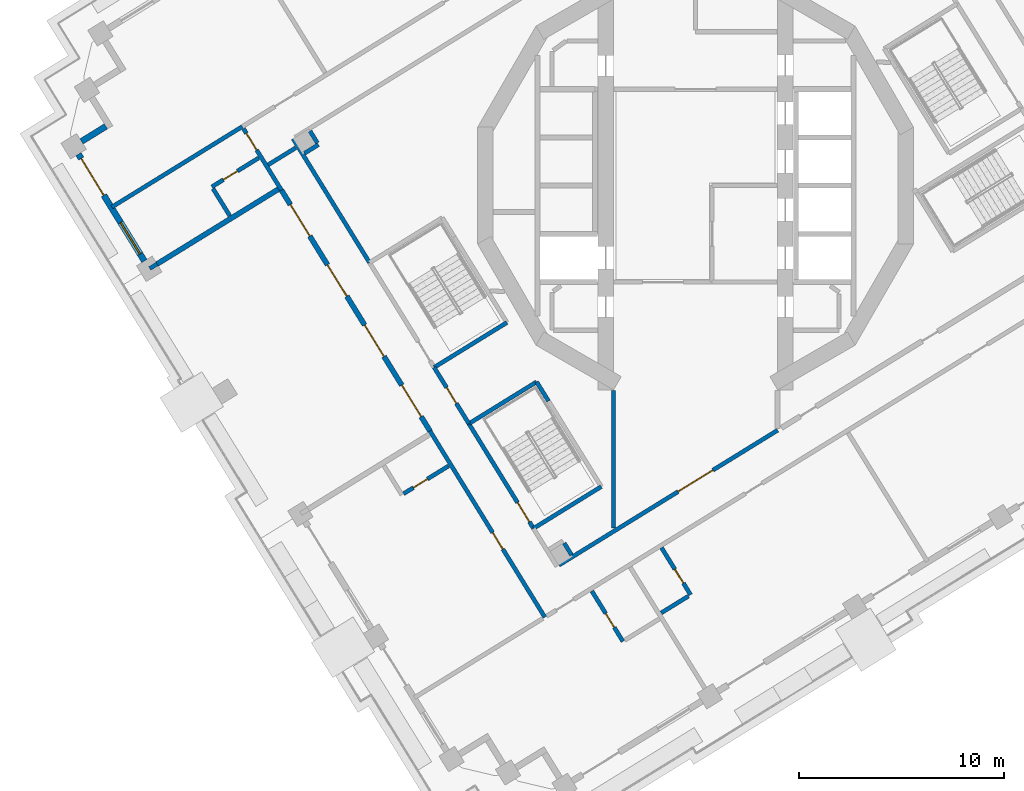
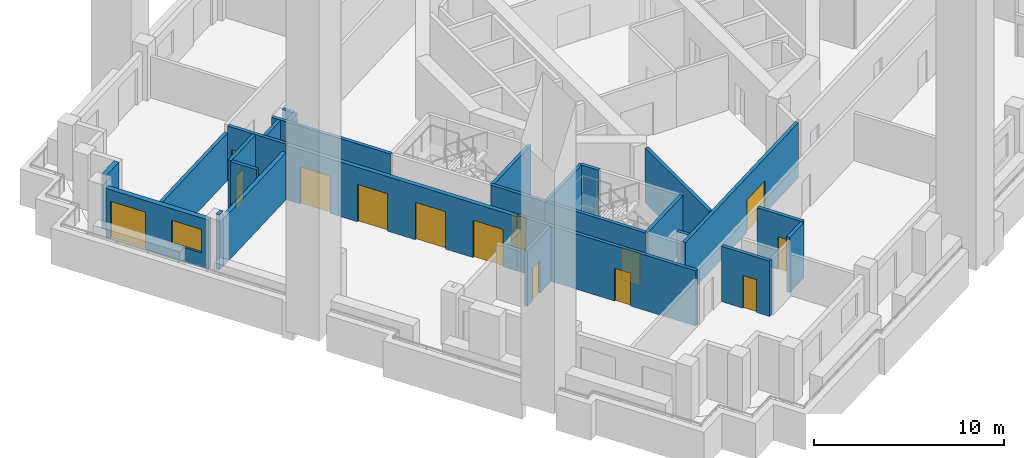
# One storey, part 3 of 19: 27 walls, 14 doors, 1 window, 15 openings.
"""IFC4 building model written with IfcOpenShell, lengths in metres."""

import ifcopenshell
import ifcopenshell.guid

model = None  # the IFC model being written
_history = None  # IfcOwnerHistory: only IFC2X3 demands one
_inside = {}  # id of a spatial element -> (the spatial element, [elements in it])
_under = {}  # id of a project, library or spatial element -> (it, [spatial elements below it])
_declared = {}  # id of a project -> (the project, [libraries it declares])
_typed = {}  # id of a type object -> (the type object, [elements of that type])
_made_of = {}  # id of a material, layer set ... -> (it, [elements and type objects made of it])


def new_model(schema):
    """Start an empty IFC model of exactly this schema.

    Asked for "IFC4X3", IfcOpenShell would pick the latest addendum, in which some entities
    have other attributes; the version numbers below select the first issue.
    IFC2X3 requires an IfcOwnerHistory on every rooted entity: one is made here for all.
    """
    global model, _history
    if schema == "IFC4X3":
        model = ifcopenshell.file(schema_version=(4, 3, 0, 0))
    else:
        model = ifcopenshell.file(schema=schema)
    _inside.clear()
    _under.clear()
    _declared.clear()
    _typed.clear()
    _made_of.clear()
    _history = None
    if model.schema == "IFC2X3":
        org = make("IfcOrganization", Name="unknown")
        user = make(
            "IfcPersonAndOrganization",
            ThePerson=make("IfcPerson", FamilyName="unknown"),
            TheOrganization=org,
        )
        app = make(
            "IfcApplication",
            ApplicationDeveloper=org,
            Version="unknown",
            ApplicationFullName="unknown",
            ApplicationIdentifier="unknown",
        )
        _history = make(
            "IfcOwnerHistory",
            OwningUser=user,
            OwningApplication=app,
            ChangeAction="ADDED",
            CreationDate=0,
        )
    return model


def make(cls, **values):
    """One entity of the class cls with the attributes given. An attribute that is None is left unset."""
    return model.create_entity(
        cls, **{name: value for name, value in values.items() if value is not None}
    )


def rooted(cls, **values):
    """An entity with a GlobalId (a new one), such as an element, a storey or a relation."""
    return make(cls, GlobalId=ifcopenshell.guid.new(), OwnerHistory=_history, **values)


def si_unit(unit_type, name, prefix=None):
    """IfcSIUnit, for example si_unit("LENGTHUNIT", "METRE", prefix="MILLI")."""
    return make("IfcSIUnit", UnitType=unit_type, Prefix=prefix, Name=name)


def assignment(units):
    """IfcUnitAssignment: the units of a project."""
    return None if units is None else make("IfcUnitAssignment", Units=units)


def point(xyz):
    """IfcCartesianPoint."""
    return None if xyz is None else make("IfcCartesianPoint", Coordinates=xyz)


def direction(xyz):
    """IfcDirection."""
    return None if xyz is None else make("IfcDirection", DirectionRatios=xyz)


def frame(location, z_axis=None, x_axis=None):
    """IfcAxis2Placement3D, a coordinate frame: its origin and axes. An axis left out is left unset."""
    return make(
        "IfcAxis2Placement3D",
        Location=point(location),
        Axis=direction(z_axis),
        RefDirection=direction(x_axis),
    )


def frame_2d(location, x_axis=None):
    """IfcAxis2Placement2D, a coordinate frame in the plane: its origin and x axis."""
    return make(
        "IfcAxis2Placement2D", Location=point(location), RefDirection=direction(x_axis)
    )


def origin():
    """The frame at (0, 0, 0) with its axes left unset."""
    return frame((0.0, 0.0, 0.0))


def place(relative_to, where):
    """IfcLocalPlacement: puts the frame where relative to a parent placement (None: the world)."""
    return make(
        "IfcLocalPlacement", PlacementRelTo=relative_to, RelativePlacement=where
    )


def context(
    kind, dimensions, precision=None, world=None, true_north=None, identifier=None
):
    """IfcGeometricRepresentationContext, for example the 3D "Model" context."""
    return make(
        "IfcGeometricRepresentationContext",
        ContextIdentifier=identifier,
        ContextType=kind,
        CoordinateSpaceDimension=dimensions,
        Precision=precision,
        WorldCoordinateSystem=world,
        TrueNorth=true_north,
    )


def subcontext(parent, identifier, kind, view, scale=None):
    """IfcGeometricRepresentationSubContext, for example "Body" below "Model"."""
    return make(
        "IfcGeometricRepresentationSubContext",
        ContextIdentifier=identifier,
        ContextType=kind,
        ParentContext=parent,
        TargetScale=scale,
        TargetView=view,
    )


def project(units=None, contexts=None):
    """IfcProject with its units and contexts."""
    return rooted(
        "IfcProject",
        Name="project",
        RepresentationContexts=contexts,
        UnitsInContext=assignment(units),
    )


def spatial(cls, under=None, at=None, **own):
    """A site, building, storey or space (cls), placed at a placement, below another one or the project."""
    s = rooted(cls, ObjectPlacement=at, **own)
    if under is not None:
        _under.setdefault(under.id(), (under, []))[1].append(s)
    return s


def profile(cls, at=None, kind="AREA", **sizes):
    """A parametric profile (cls). Its sizes go by their IFC names, for example OverallWidth=200.0."""
    return make(cls, ProfileType=kind, Position=at, **sizes)


def rectangle(**sizes):
    """IfcRectangleProfileDef."""
    return profile("IfcRectangleProfileDef", **sizes)


def extrude(swept, where, along, depth):
    """IfcExtrudedAreaSolid: the profile swept, set in the frame where, extruded along a direction by depth."""
    return make(
        "IfcExtrudedAreaSolid",
        SweptArea=swept,
        Position=where,
        ExtrudedDirection=direction(along),
        Depth=depth,
    )


def shape(context_of_items, identifier, shape_type, items):
    """IfcShapeRepresentation: the items that make up one representation, for example the "Body"."""
    return make(
        "IfcShapeRepresentation",
        ContextOfItems=context_of_items,
        RepresentationIdentifier=identifier,
        RepresentationType=shape_type,
        Items=items,
    )


def material(Name=None, Category=None):
    """IfcMaterial."""
    return make("IfcMaterial", Name=Name, Category=Category)


def layer(
    of_material, thickness, ventilated=None, Name=None, Category=None, Priority=None
):
    """IfcMaterialLayer: one layer of a wall or slab, of a material (None: an air gap)."""
    return make(
        "IfcMaterialLayer",
        Material=of_material,
        LayerThickness=thickness,
        IsVentilated=ventilated,
        Name=Name,
        Category=Category,
        Priority=Priority,
    )


def layer_set(layers, Name=None):
    """IfcMaterialLayerSet."""
    return make("IfcMaterialLayerSet", MaterialLayers=layers, LayerSetName=Name)


def made_of(thing, what):
    """Note that an element or type object is made of a material, layer set ...; save() writes the relation."""
    if what is not None:
        _made_of.setdefault(what.id(), (what, []))[1].append(thing)
    return thing


def type_object(cls, material=None, **own):
    """A type object (cls), such as IfcWallType, which elements share."""
    return made_of(rooted(cls, **own), material)


def element(
    cls,
    number,
    at=None,
    inside=None,
    cuts=None,
    type_object=None,
    material=None,
    context=None,
    identifier="Body",
    shape_type=None,
    held_by="IfcProductDefinitionShape",
    body=None,
    shapes=None,
    **own,
):
    """One element of the class cls, such as IfcWall. Its Tag is "e" and its number.

    at: its placement. inside: the storey or other place that contains it. cuts: it is an
    opening in that element (IfcRelVoidsElement). A single representation is given by context,
    identifier, shape_type and body (its items); several are given by shapes. held_by: the class
    of the entity that holds the representations. save() writes the other relations.
    """
    e = rooted(cls, Tag="e%d" % number, ObjectPlacement=at, **own)
    if body is not None:
        shapes = [shape(context, identifier, shape_type, body)]
    if shapes is not None:
        e.Representation = make(held_by, Representations=shapes)
    if inside is not None:
        _inside.setdefault(inside.id(), (inside, []))[1].append(e)
    if cuts is not None:
        rooted(
            "IfcRelVoidsElement", RelatingBuildingElement=cuts, RelatedOpeningElement=e
        )
    if type_object is not None:
        _typed.setdefault(type_object.id(), (type_object, []))[1].append(e)
    return made_of(e, material)


def fill(opening, filler):
    """IfcRelFillsElement: the door or window that sits in an opening."""
    return rooted(
        "IfcRelFillsElement",
        RelatingOpeningElement=opening,
        RelatedBuildingElement=filler,
    )


def aggregate(whole, parts):
    """IfcRelAggregates: a whole, such as a stair, and the parts it consists of."""
    return rooted("IfcRelAggregates", RelatingObject=whole, RelatedObjects=parts)


def save(model, path):
    """Write the relations noted so far, then the file.

    IfcRelAggregates (storeys below a building ...), IfcRelContainedInSpatialStructure (elements
    in a storey), IfcRelDefinesByType, IfcRelAssociatesMaterial and IfcRelDeclares: one each for
    every whole, place, type object, material and project.
    """
    for whole, parts in _under.values():
        aggregate(whole, parts)
    for where, things in _inside.values():
        rooted(
            "IfcRelContainedInSpatialStructure",
            RelatedElements=things,
            RelatingStructure=where,
        )
    for kind, things in _typed.values():
        rooted("IfcRelDefinesByType", RelatedObjects=things, RelatingType=kind)
    for what, things in _made_of.values():
        rooted("IfcRelAssociatesMaterial", RelatedObjects=things, RelatingMaterial=what)
    for by, libraries in _declared.values():
        rooted("IfcRelDeclares", RelatingContext=by, RelatedDefinitions=libraries)
    model.write(path)


model = new_model("IFC4")

# Units and contexts
model_context = context("Model", 3, precision=1e-05, world=origin(), true_north=direction((0.0, 1.0)))
body_context = subcontext(model_context, "Body", "Model", "MODEL_VIEW")
ifc_project = project(units=[si_unit("LENGTHUNIT", "METRE"), si_unit("AREAUNIT", "SQUARE_METRE"), si_unit("VOLUMEUNIT", "CUBIC_METRE"), si_unit("PLANEANGLEUNIT", "RADIAN"), si_unit("MASSUNIT", "GRAM", prefix="KILO")], contexts=[model_context])

# Site, building, storey
site_placement = place(None, origin())
site = spatial("IfcSite", under=ifc_project, at=site_placement, CompositionType="ELEMENT")
building_placement = place(site_placement, origin())
building = spatial("IfcBuilding", under=site, at=building_placement, Name="Cantera Rosa Tower", CompositionType="ELEMENT")
storey_placement = place(building_placement, frame((0.0, 0.0, 147.60009765625)))
storey = spatial("IfcBuildingStorey", under=building, at=storey_placement, Name="L31", CompositionType="ELEMENT", Elevation=147.60009765625)

# Wall, opening, door
ifc_material_1 = material(Name="Gypsum board partition")
ifc_layer_1 = layer(ifc_material_1, 0.199951171875)
ifc_layer_set_1 = layer_set([ifc_layer_1], Name="CORRIDOR WALL 200 H3550")
wall_type_1 = type_object("IfcWallType", Name="CORRIDOR WALL 200 H3550", PredefinedType="PARTITIONING", material=ifc_layer_set_1)
wall_1_placement = place(storey_placement, frame((-22.037109375, 2.77392578125, 0.0), z_axis=(0.0, 0.0, 1.0), x_axis=(0.524928009261, -0.851146629608, 0.0)))
wall_1 = element("IfcWall", 1, at=wall_1_placement, inside=storey, type_object=wall_type_1, Name="CORRIDOR WALL L31-004", PredefinedType="PARTITIONING", context=body_context, shape_type="SweptSolid", body=[
    extrude(rectangle(XDim=3.52490234375, YDim=0.199951171875, at=frame_2d((1.762451171875, 0.0))), origin(), (0.0, 0.0, 1.0), 3.5498046875),
])
opening_1_placement = place(wall_1_placement, frame((0.264892578125, 0.0, 0.0)))
opening_1 = element("IfcOpeningElement", 2, at=opening_1_placement, cuts=wall_1, Name="Opening L31-030", PredefinedType="OPENING", context=body_context, shape_type="SweptSolid", body=[
    extrude(rectangle(XDim=0.949951171875, YDim=2.10009765625, at=frame_2d((0.47509765625, 1.050048828125))), frame((0.0, 0.10986328125, 0.0), z_axis=(0.0, -1.0, 0.0), x_axis=(1.0, 0.0, 0.0)), (0.0, 0.0, 1.0), 0.219970703125),
])
ifc_material_2 = material(Name="Timber door leaf", Category="wood")
door_type_1 = type_object("IfcDoorType", Name="ROOM DOOR 950x2100", OperationType="NOTDEFINED", PredefinedType="DOOR", material=ifc_material_2)
door_1_placement = place(opening_1_placement, origin())
door_1 = element("IfcDoor", 3, at=door_1_placement, inside=storey, type_object=door_type_1, Name="DOOR L31-030", OperationType="NOTDEFINED", OverallHeight=2.10009765625, OverallWidth=0.949951171875, PredefinedType="DOOR", context=body_context, shape_type="SweptSolid", body=[
    extrude(rectangle(XDim=0.949951171875, YDim=2.10009765625, at=frame_2d((0.47509765625, 1.050048828125))), frame((0.0, 0.02490234375, 0.0), z_axis=(0.0, -1.0, 0.0), x_axis=(1.0, 0.0, 0.0)), (0.0, 0.0, 1.0), 0.050048828125),
])
fill(opening_1, door_1)

wall_2_placement = place(storey_placement, frame((-12.947265625, -11.963134765625, 0.0), z_axis=(0.0, 0.0, 1.0), x_axis=(0.524977152999, -0.851116319212, 0.0)))
wall_2 = element("IfcWall", 4, at=wall_2_placement, inside=storey, type_object=wall_type_1, Name="CORRIDOR WALL L31-005", PredefinedType="PARTITIONING", context=body_context, shape_type="SweptSolid", body=[
    extrude(rectangle(XDim=10.6650390625, YDim=0.199951171875, at=frame_2d((5.33251953125, 0.0))), origin(), (0.0, 0.0, 1.0), 3.5498046875),
])
opening_2_placement = place(wall_2_placement, frame((5.820068359375, 0.0, 0.0)))
opening_2 = element("IfcOpeningElement", 5, at=opening_2_placement, cuts=wall_2, Name="Opening L31-032", PredefinedType="OPENING", context=body_context, shape_type="SweptSolid", body=[
    extrude(rectangle(XDim=0.949951171875, YDim=2.10009765625, at=frame_2d((0.47509765625, 1.050048828125))), frame((0.0, 0.10986328125, 0.0), z_axis=(0.0, -1.0, 0.0), x_axis=(1.0, 0.0, 0.0)), (0.0, 0.0, 1.0), 0.219970703125),
])
door_2_placement = place(opening_2_placement, origin())
door_2 = element("IfcDoor", 6, at=door_2_placement, inside=storey, type_object=door_type_1, Name="DOOR L31-032", OperationType="NOTDEFINED", OverallHeight=2.10009765625, OverallWidth=0.949951171875, PredefinedType="DOOR", context=body_context, shape_type="SweptSolid", body=[
    extrude(rectangle(XDim=0.949951171875, YDim=2.10009765625, at=frame_2d((0.47509765625, 1.050048828125))), frame((0.0, 0.02490234375, 0.0), z_axis=(0.0, -1.0, 0.0), x_axis=(1.0, 0.0, 0.0)), (0.0, 0.0, 1.0), 0.050048828125),
])
fill(opening_2, door_2)

# Walls
wall_3_placement = place(storey_placement, frame((-20.8349609375, 1.015380859375, 0.0), z_axis=(0.0, 0.0, 1.0), x_axis=(0.851143253059, 0.52493348414, 0.0)))
element("IfcWall", 7, at=wall_3_placement, inside=storey, type_object=wall_type_1, Name="CORRIDOR WALL L31-006", PredefinedType="PARTITIONING", context=body_context, shape_type="SweptSolid", body=[
    extrude(rectangle(XDim=1.579833984375, YDim=0.199951171875, at=frame_2d((0.7900390625, 0.0))), origin(), (0.0, 0.0, 1.0), 3.5498046875),
])
wall_4_placement = place(storey_placement, frame((-19.623291015625, 2.2890625, 0.0), z_axis=(0.0, 0.0, 1.0), x_axis=(0.524973806956, -0.851118383076, 0.0)))
element("IfcWall", 8, at=wall_4_placement, inside=storey, type_object=wall_type_1, Name="CORRIDOR WALL L31-008", PredefinedType="PARTITIONING", context=body_context, shape_type="SweptSolid", body=[
    extrude(rectangle(XDim=7.100830078125, YDim=0.199951171875, at=frame_2d((3.55029296875, 0.0))), origin(), (0.0, 0.0, 1.0), 3.5498046875),
])

# Wall, opening, door
wall_5_placement = place(storey_placement, frame((-12.74560546875, -8.861328125, 0.0), z_axis=(0.0, 0.0, 1.0), x_axis=(0.524959112102, -0.851127446756, 0.0)))
wall_5 = element("IfcWall", 9, at=wall_5_placement, inside=storey, type_object=wall_type_1, Name="CORRIDOR WALL L31-016", PredefinedType="PARTITIONING", context=body_context, shape_type="SweptSolid", body=[
    extrude(rectangle(XDim=3.223876953125, YDim=0.199951171875, at=frame_2d((1.61181640625, 0.0))), origin(), (0.0, 0.0, 1.0), 3.5498046875),
])
opening_3_placement = place(wall_5_placement, frame((1.161865234375, 0.0, 0.0)))
opening_3 = element("IfcOpeningElement", 10, at=opening_3_placement, cuts=wall_5, Name="Opening L31-007", PredefinedType="OPENING", context=body_context, shape_type="SweptSolid", body=[
    extrude(rectangle(XDim=0.89990234375, YDim=2.10009765625, at=frame_2d((0.449951171875, 1.050048828125))), frame((0.0, 0.10986328125, 0.0), z_axis=(0.0, -1.0, 0.0), x_axis=(1.0, 0.0, 0.0)), (0.0, 0.0, 1.0), 0.219970703125),
])
ifc_material_3 = material(Name="Timber door leaf", Category="wood")
door_type_2 = type_object("IfcDoorType", Name="SERVICE DOOR 900x2100", OperationType="NOTDEFINED", PredefinedType="DOOR", material=ifc_material_3)
door_3_placement = place(opening_3_placement, origin())
door_3 = element("IfcDoor", 11, at=door_3_placement, inside=storey, type_object=door_type_2, Name="DOOR L31-007", OperationType="NOTDEFINED", OverallHeight=2.10009765625, OverallWidth=0.89990234375, PredefinedType="DOOR", context=body_context, shape_type="SweptSolid", body=[
    extrude(rectangle(XDim=0.89990234375, YDim=2.10009765625, at=frame_2d((0.449951171875, 1.050048828125))), frame((0.0, 0.02490234375, 0.0), z_axis=(0.0, -1.0, 0.0), x_axis=(1.0, 0.0, 0.0)), (0.0, 0.0, 1.0), 0.050048828125),
])
fill(opening_3, door_3)

wall_6_placement = place(storey_placement, frame((-6.6591796875, -18.500244140625, 0.0), z_axis=(0.0, 0.0, 1.0), x_axis=(0.851115705413, 0.524978148116, 0.0)))
wall_6 = element("IfcWall", 12, at=wall_6_placement, inside=storey, type_object=wall_type_1, Name="CORRIDOR WALL L31-038", PredefinedType="PARTITIONING", context=body_context, shape_type="SweptSolid", body=[
    extrude(rectangle(XDim=12.523681640625, YDim=0.199951171875, at=frame_2d((6.26171875, 0.0))), origin(), (0.0, 0.0, 1.0), 3.5498046875),
])
opening_4_placement = place(wall_6_placement, frame((6.82421875, 0.0, 0.0)))
opening_4 = element("IfcOpeningElement", 13, at=opening_4_placement, cuts=wall_6, Name="Opening L31-011", PredefinedType="OPENING", context=body_context, shape_type="SweptSolid", body=[
    extrude(rectangle(XDim=2.0, YDim=2.10009765625, at=frame_2d((1.0, 1.050048828125))), frame((0.0, 0.10986328125, 0.0), z_axis=(0.0, -1.0, 0.0), x_axis=(1.0, 0.0, 0.0)), (0.0, 0.0, 1.0), 0.219970703125),
])
ifc_material_4 = material(Name="Steel S355J2 (EN 10025-2)", Category="steel")
door_type_3 = type_object("IfcDoorType", Name="LOBBY SCREEN DOOR 2000x2100", OperationType="NOTDEFINED", PredefinedType="DOOR", material=ifc_material_4)
door_4_placement = place(opening_4_placement, origin())
door_4 = element("IfcDoor", 14, at=door_4_placement, inside=storey, type_object=door_type_3, Name="DOOR L31-011", OperationType="NOTDEFINED", OverallHeight=2.10009765625, OverallWidth=2.0, PredefinedType="DOOR", context=body_context, shape_type="SweptSolid", body=[
    extrude(rectangle(XDim=2.0, YDim=2.10009765625, at=frame_2d((1.0, 1.050048828125))), frame((0.0, 0.02490234375, 0.0), z_axis=(0.0, -1.0, 0.0), x_axis=(1.0, 0.0, 0.0)), (0.0, 0.0, 1.0), 0.050048828125),
])
fill(opening_4, door_4)

# Walls
wall_7_placement = place(storey_placement, frame((-4.0, -9.994140625, 0.0), z_axis=(0.0, 0.0, 1.0), x_axis=(0.0, -1.0, 0.0)))
element("IfcWall", 15, at=wall_7_placement, inside=storey, type_object=wall_type_1, Name="CORRIDOR WALL L31-049", PredefinedType="PARTITIONING", context=body_context, shape_type="SweptSolid", body=[
    extrude(rectangle(XDim=6.7060546875, YDim=0.199951171875, at=frame_2d((3.35302734375, 0.0))), origin(), (0.0, 0.0, 1.0), 3.5498046875),
])
ifc_material_5 = material(Name="Hollow clay masonry with cantera stone cladding", Category="masonry")
ifc_layer_2 = layer(ifc_material_5, 0.300048828125)
ifc_layer_set_2 = layer_set([ifc_layer_2], Name="EW-LOGGIA 300")
wall_type_2 = type_object("IfcWallType", Name="EW-LOGGIA 300", PredefinedType="SOLIDWALL", material=ifc_layer_set_2)
wall_8_placement = place(storey_placement, frame((-28.74658203125, 2.888916015625, 0.0), z_axis=(0.0, 0.0, 1.0), x_axis=(-0.851040987269, -0.525099264891, 0.0)))
element("IfcWall", 16, at=wall_8_placement, inside=storey, type_object=wall_type_2, Name="EN-L31-W14b", PredefinedType="SOLIDWALL", context=body_context, shape_type="SweptSolid", body=[
    extrude(rectangle(XDim=1.39990234375, YDim=0.300048828125, at=frame_2d((0.699951171875, 0.0))), origin(), (0.0, 0.0, 1.0), 3.5),
])

# Wall, openings, window, door
ifc_material_6 = material(Name="Hollow clay masonry with cantera stone cladding", Category="masonry")
ifc_layer_3 = layer(ifc_material_6, 0.300048828125)
ifc_layer_set_3 = layer_set([ifc_layer_3], Name="EW-LOGGIA 300 H3140")
wall_type_3 = type_object("IfcWallType", Name="EW-LOGGIA 300 H3140", PredefinedType="SOLIDWALL", material=ifc_layer_set_3)
wall_9_placement = place(storey_placement, frame((-30.084716796875, 1.53466796875, 0.0), z_axis=(0.0, 0.0, 1.0), x_axis=(0.524987447654, -0.851109969279, 0.0)))
wall_9 = element("IfcWall", 17, at=wall_9_placement, inside=storey, type_object=wall_type_3, Name="EN-L31-W15", PredefinedType="SOLIDWALL", context=body_context, shape_type="SweptSolid", body=[
    extrude(rectangle(XDim=6.119873046875, YDim=0.300048828125, at=frame_2d((3.06005859375, 0.0))), origin(), (0.0, 0.0, 1.0), 3.139892578125),
])
opening_5_placement = place(wall_9_placement, frame((0.2548828125, 0.0, 0.0)))
opening_5 = element("IfcOpeningElement", 18, at=opening_5_placement, cuts=wall_9, Name="Opening L31-TD21", PredefinedType="OPENING", context=body_context, shape_type="SweptSolid", body=[
    extrude(rectangle(XDim=2.10009765625, YDim=2.39990234375, at=frame_2d((1.050048828125, 1.199951171875))), frame((0.0, 0.159912109375, 0.0), z_axis=(0.0, -1.0, 0.0), x_axis=(1.0, 0.0, 0.0)), (0.0, 0.0, 1.0), 0.320068359375),
])
opening_6_placement = place(wall_9_placement, frame((3.9150390625, 0.0, 0.89990234375)))
opening_6 = element("IfcOpeningElement", 19, at=opening_6_placement, cuts=wall_9, Name="Opening L31-W22", PredefinedType="OPENING", context=body_context, shape_type="SweptSolid", body=[
    extrude(rectangle(XDim=1.800048828125, YDim=1.5, at=frame_2d((0.89990234375, 0.75))), frame((0.0, 0.159912109375, 0.0), z_axis=(0.0, -1.0, 0.0), x_axis=(1.0, 0.0, 0.0)), (0.0, 0.0, 1.0), 0.320068359375),
])
ifc_material_7 = material(Name="Aluminium frame with clear glass", Category="aluminium")
window_type = type_object("IfcWindowType", Name="Hotel room window 1800x1500", PartitioningType="DOUBLE_PANEL_VERTICAL", PredefinedType="WINDOW", material=ifc_material_7)
window_placement = place(opening_6_placement, origin())
window = element("IfcWindow", 20, at=window_placement, inside=storey, type_object=window_type, Name="WINDOW L31-W22", OverallHeight=1.5, OverallWidth=1.800048828125, PartitioningType="SINGLE_PANEL", PredefinedType="WINDOW", context=body_context, shape_type="SweptSolid", body=[
    extrude(rectangle(XDim=1.800048828125, YDim=1.5, at=frame_2d((0.89990234375, 0.75))), frame((0.0, 0.030029296875, 0.0), z_axis=(0.0, -1.0, 0.0), x_axis=(1.0, 0.0, 0.0)), (0.0, 0.0, 1.0), 0.06005859375),
])
fill(opening_6, window)
ifc_material_8 = material(Name="Aluminium frame with clear glass", Category="aluminium")
door_type_4 = type_object("IfcDoorType", Name="TD-H 2100x2400", OperationType="NOTDEFINED", PredefinedType="DOOR", material=ifc_material_8)
door_5_placement = place(opening_5_placement, origin())
door_5 = element("IfcDoor", 21, at=door_5_placement, inside=storey, type_object=door_type_4, Name="LOGGIA DOOR L31-TD21", OperationType="SLIDING_TO_LEFT", OverallHeight=2.39990234375, OverallWidth=2.10009765625, PredefinedType="DOOR", context=body_context, shape_type="SweptSolid", body=[
    extrude(rectangle(XDim=2.10009765625, YDim=2.39990234375, at=frame_2d((1.050048828125, 1.199951171875))), frame((0.0, 0.02490234375, 0.0), z_axis=(0.0, -1.0, 0.0), x_axis=(1.0, 0.0, 0.0)), (0.0, 0.0, 1.0), 0.050048828125),
])
fill(opening_5, door_5)

# Wall
ifc_material_9 = material(Name="Concrete C40/50", Category="concrete")
ifc_layer_4 = layer(ifc_material_9, 0.25)
ifc_layer_set_4 = layer_set([ifc_layer_4], Name="EW-POCKET CHEEK 250 H3020")
wall_type_4 = type_object("IfcWallType", Name="EW-POCKET CHEEK 250 H3020", PredefinedType="SOLIDWALL", material=ifc_layer_set_4)
wall_10_placement = place(storey_placement, frame((-26.252685546875, -3.82080078125, 0.0), z_axis=(0.0, 0.0, 1.0), x_axis=(0.851127184208, 0.524959537777, 0.0)))
element("IfcWall", 22, at=wall_10_placement, inside=storey, type_object=wall_type_4, Name="POCKET CHEEK A L31", PredefinedType="SOLIDWALL", context=body_context, shape_type="SweptSolid", body=[
    extrude(rectangle(XDim=6.949951171875, YDim=0.25, at=frame_2d((3.47509765625, 0.0))), origin(), (0.0, 0.0, 1.0), 3.02001953125),
])

# Wall, openings, doors
ifc_material_10 = material(Name="Hollow clay masonry with cantera stone cladding", Category="masonry")
ifc_layer_5 = layer(ifc_material_10, 0.25)
ifc_layer_set_5 = layer_set([ifc_layer_5], Name="EW-POCKET REAR 250")
wall_type_5 = type_object("IfcWallType", Name="EW-POCKET REAR 250", PredefinedType="SOLIDWALL", material=ifc_layer_set_5)
wall_11_placement = place(storey_placement, frame((-20.186767578125, -0.226318359375, 0.0), z_axis=(0.0, 0.0, 1.0), x_axis=(0.524983188769, -0.851112596259, 0.0)))
wall_11 = element("IfcWall", 23, at=wall_11_placement, inside=storey, type_object=wall_type_5, Name="POCKET REAR L31", PredefinedType="SOLIDWALL", context=body_context, shape_type="SweptSolid", body=[
    extrude(rectangle(XDim=13.7900390625, YDim=0.25, at=frame_2d((6.89501953125, 0.0))), origin(), (0.0, 0.0, 1.0), 3.5),
])
opening_7_placement = place(wall_11_placement, frame((0.82373046875, 0.0, 0.0)))
opening_7 = element("IfcOpeningElement", 24, at=opening_7_placement, cuts=wall_11, Name="Opening L31-LT01", PredefinedType="OPENING", context=body_context, shape_type="SweptSolid", body=[
    extrude(rectangle(XDim=1.800048828125, YDim=2.39990234375, at=frame_2d((0.89990234375, 1.199951171875))), frame((0.0, 0.135009765625, 0.0), z_axis=(0.0, -1.0, 0.0), x_axis=(1.0, 0.0, 0.0)), (0.0, 0.0, 1.0), 0.27001953125),
])
opening_8_placement = place(wall_11_placement, frame((4.271240234375, 0.0, 0.0)))
opening_8 = element("IfcOpeningElement", 25, at=opening_8_placement, cuts=wall_11, Name="Opening L31-LT02", PredefinedType="OPENING", context=body_context, shape_type="SweptSolid", body=[
    extrude(rectangle(XDim=1.800048828125, YDim=2.39990234375, at=frame_2d((0.89990234375, 1.199951171875))), frame((0.0, 0.135009765625, 0.0), z_axis=(0.0, -1.0, 0.0), x_axis=(1.0, 0.0, 0.0)), (0.0, 0.0, 1.0), 0.27001953125),
])
opening_9_placement = place(wall_11_placement, frame((7.71875, 0.0, 0.0)))
opening_9 = element("IfcOpeningElement", 26, at=opening_9_placement, cuts=wall_11, Name="Opening L31-LT03", PredefinedType="OPENING", context=body_context, shape_type="SweptSolid", body=[
    extrude(rectangle(XDim=1.800048828125, YDim=2.39990234375, at=frame_2d((0.89990234375, 1.199951171875))), frame((0.0, 0.135009765625, 0.0), z_axis=(0.0, -1.0, 0.0), x_axis=(1.0, 0.0, 0.0)), (0.0, 0.0, 1.0), 0.27001953125),
])
opening_10_placement = place(wall_11_placement, frame((11.166259765625, 0.0, 0.0)))
opening_10 = element("IfcOpeningElement", 27, at=opening_10_placement, cuts=wall_11, Name="Opening L31-LT04", PredefinedType="OPENING", context=body_context, shape_type="SweptSolid", body=[
    extrude(rectangle(XDim=1.800048828125, YDim=2.39990234375, at=frame_2d((0.89990234375, 1.199951171875))), frame((0.0, 0.135009765625, 0.0), z_axis=(0.0, -1.0, 0.0), x_axis=(1.0, 0.0, 0.0)), (0.0, 0.0, 1.0), 0.27001953125),
])
ifc_material_11 = material(Name="Aluminium frame with clear glass", Category="aluminium")
door_type_5 = type_object("IfcDoorType", Name="TD-T 1800x2400", OperationType="NOTDEFINED", PredefinedType="DOOR", material=ifc_material_11)
door_6_placement = place(opening_7_placement, origin())
door_6 = element("IfcDoor", 28, at=door_6_placement, inside=storey, type_object=door_type_5, Name="TERRACE DOOR L31-LT01", OperationType="DOUBLE_DOOR_SINGLE_SWING", OverallHeight=2.39990234375, OverallWidth=1.800048828125, PredefinedType="DOOR", context=body_context, shape_type="SweptSolid", body=[
    extrude(rectangle(XDim=1.800048828125, YDim=2.39990234375, at=frame_2d((0.89990234375, 1.199951171875))), frame((0.0, 0.02490234375, 0.0), z_axis=(0.0, -1.0, 0.0), x_axis=(1.0, 0.0, 0.0)), (0.0, 0.0, 1.0), 0.050048828125),
])
fill(opening_7, door_6)
door_7_placement = place(opening_8_placement, origin())
door_7 = element("IfcDoor", 29, at=door_7_placement, inside=storey, type_object=door_type_5, Name="TERRACE DOOR L31-LT02", OperationType="DOUBLE_DOOR_SINGLE_SWING", OverallHeight=2.39990234375, OverallWidth=1.800048828125, PredefinedType="DOOR", context=body_context, shape_type="SweptSolid", body=[
    extrude(rectangle(XDim=1.800048828125, YDim=2.39990234375, at=frame_2d((0.89990234375, 1.199951171875))), frame((0.0, 0.02490234375, 0.0), z_axis=(0.0, -1.0, 0.0), x_axis=(1.0, 0.0, 0.0)), (0.0, 0.0, 1.0), 0.050048828125),
])
fill(opening_8, door_7)
door_8_placement = place(opening_9_placement, origin())
door_8 = element("IfcDoor", 30, at=door_8_placement, inside=storey, type_object=door_type_5, Name="TERRACE DOOR L31-LT03", OperationType="DOUBLE_DOOR_SINGLE_SWING", OverallHeight=2.39990234375, OverallWidth=1.800048828125, PredefinedType="DOOR", context=body_context, shape_type="SweptSolid", body=[
    extrude(rectangle(XDim=1.800048828125, YDim=2.39990234375, at=frame_2d((0.89990234375, 1.199951171875))), frame((0.0, 0.02490234375, 0.0), z_axis=(0.0, -1.0, 0.0), x_axis=(1.0, 0.0, 0.0)), (0.0, 0.0, 1.0), 0.050048828125),
])
fill(opening_9, door_8)
door_9_placement = place(opening_10_placement, origin())
door_9 = element("IfcDoor", 31, at=door_9_placement, inside=storey, type_object=door_type_5, Name="TERRACE DOOR L31-LT04", OperationType="DOUBLE_DOOR_SINGLE_SWING", OverallHeight=2.39990234375, OverallWidth=1.800048828125, PredefinedType="DOOR", context=body_context, shape_type="SweptSolid", body=[
    extrude(rectangle(XDim=1.800048828125, YDim=2.39990234375, at=frame_2d((0.89990234375, 1.199951171875))), frame((0.0, 0.02490234375, 0.0), z_axis=(0.0, -1.0, 0.0), x_axis=(1.0, 0.0, 0.0)), (0.0, 0.0, 1.0), 0.050048828125),
])
fill(opening_10, door_9)

# Wall, opening, door
ifc_material_12 = material(Name="Gypsum board partition")
ifc_layer_6 = layer(ifc_material_12, 0.199951171875)
ifc_layer_set_6 = layer_set([ifc_layer_6], Name="PARTITION 200 H3550")
wall_type_6 = type_object("IfcWallType", Name="PARTITION 200 H3550", PredefinedType="PARTITIONING", material=ifc_layer_set_6)
wall_12_placement = place(storey_placement, frame((-23.580322265625, -0.057861328125, 0.0), z_axis=(0.0, 0.0, 1.0), x_axis=(0.851110493934, 0.524986597082, 0.0)))
wall_12 = element("IfcWall", 32, at=wall_12_placement, inside=storey, type_object=wall_type_6, Name="PARTITION L31-001", PredefinedType="PARTITIONING", context=body_context, shape_type="SweptSolid", body=[
    extrude(rectangle(XDim=2.679931640625, YDim=0.199951171875, at=frame_2d((1.33984375, 0.0))), origin(), (0.0, 0.0, 1.0), 3.5498046875),
])
opening_11_placement = place(wall_12_placement, frame((0.6640625, 0.0, 0.0)))
opening_11 = element("IfcOpeningElement", 33, at=opening_11_placement, cuts=wall_12, Name="Opening L31-031", PredefinedType="OPENING", context=body_context, shape_type="SweptSolid", body=[
    extrude(rectangle(XDim=0.800048828125, YDim=2.10009765625, at=frame_2d((0.39990234375, 1.050048828125))), frame((0.0, 0.10986328125, 0.0), z_axis=(0.0, -1.0, 0.0), x_axis=(1.0, 0.0, 0.0)), (0.0, 0.0, 1.0), 0.219970703125),
])
ifc_material_13 = material(Name="Timber door leaf", Category="wood")
door_type_6 = type_object("IfcDoorType", Name="BATHROOM DOOR 800x2100", OperationType="NOTDEFINED", PredefinedType="DOOR", material=ifc_material_13)
door_10_placement = place(opening_11_placement, origin())
door_10 = element("IfcDoor", 34, at=door_10_placement, inside=storey, type_object=door_type_6, Name="DOOR L31-031", OperationType="NOTDEFINED", OverallHeight=2.10009765625, OverallWidth=0.800048828125, PredefinedType="DOOR", context=body_context, shape_type="SweptSolid", body=[
    extrude(rectangle(XDim=0.800048828125, YDim=2.10009765625, at=frame_2d((0.39990234375, 1.050048828125))), frame((0.0, 0.02490234375, 0.0), z_axis=(0.0, -1.0, 0.0), x_axis=(1.0, 0.0, 0.0)), (0.0, 0.0, 1.0), 0.050048828125),
])
fill(opening_11, door_10)

# Walls
wall_13_placement = place(storey_placement, frame((-22.706298828125, -1.474853515625, 0.0), z_axis=(0.0, 0.0, 1.0), x_axis=(-0.524941445141, 0.851138343146, 0.0)))
element("IfcWall", 35, at=wall_13_placement, inside=storey, type_object=wall_type_6, Name="PARTITION L31-002", PredefinedType="PARTITIONING", context=body_context, shape_type="SweptSolid", body=[
    extrude(rectangle(XDim=1.56494140625, YDim=0.199951171875, at=frame_2d((0.782470703125, 0.0))), origin(), (0.0, 0.0, 1.0), 3.5498046875),
])
wall_14_placement = place(storey_placement, frame((-19.065673828125, 1.575439453125, 0.0), z_axis=(0.0, 0.0, 1.0), x_axis=(0.85101860469, 0.525135539144, 0.0)))
element("IfcWall", 36, at=wall_14_placement, inside=storey, type_object=wall_type_6, Name="PARTITION L31-010", PredefinedType="PARTITIONING", context=body_context, shape_type="SweptSolid", body=[
    extrude(rectangle(XDim=0.800048828125, YDim=0.199951171875, at=frame_2d((0.39990234375, 0.0))), origin(), (0.0, 0.0, 1.0), 3.5498046875),
])
wall_15_placement = place(storey_placement, frame((-18.437255859375, 2.08056640625, 0.0), z_axis=(0.0, 0.0, 1.0), x_axis=(-0.524858358509, 0.851189581412, 0.0)))
element("IfcWall", 37, at=wall_15_placement, inside=storey, type_object=wall_type_6, Name="PARTITION L31-011", PredefinedType="PARTITIONING", context=body_context, shape_type="SweptSolid", body=[
    extrude(rectangle(XDim=0.68017578125, YDim=0.199951171875, at=frame_2d((0.340087890625, 0.0))), origin(), (0.0, 0.0, 1.0), 3.5498046875),
])

# Wall, opening, door
wall_16_placement = place(storey_placement, frame((-12.038818359375, -13.66455078125, 0.0), z_axis=(0.0, 0.0, 1.0), x_axis=(-0.851098989685, -0.525005247362, 0.0)))
wall_16 = element("IfcWall", 38, at=wall_16_placement, inside=storey, type_object=wall_type_6, Name="PARTITION L31-020", PredefinedType="PARTITIONING", context=body_context, shape_type="SweptSolid", body=[
    extrude(rectangle(XDim=2.580078125, YDim=0.199951171875, at=frame_2d((1.2900390625, 0.0))), origin(), (0.0, 0.0, 1.0), 3.5498046875),
])
opening_12_placement = place(wall_16_placement, frame((1.216064453125, 0.0, 0.0)))
opening_12 = element("IfcOpeningElement", 39, at=opening_12_placement, cuts=wall_16, Name="Opening L31-033", PredefinedType="OPENING", context=body_context, shape_type="SweptSolid", body=[
    extrude(rectangle(XDim=0.800048828125, YDim=2.10009765625, at=frame_2d((0.39990234375, 1.050048828125))), frame((0.0, 0.10986328125, 0.0), z_axis=(0.0, -1.0, 0.0), x_axis=(1.0, 0.0, 0.0)), (0.0, 0.0, 1.0), 0.219970703125),
])
door_11_placement = place(opening_12_placement, origin())
door_11 = element("IfcDoor", 40, at=door_11_placement, inside=storey, type_object=door_type_6, Name="DOOR L31-033", OperationType="NOTDEFINED", OverallHeight=2.10009765625, OverallWidth=0.800048828125, PredefinedType="DOOR", context=body_context, shape_type="SweptSolid", body=[
    extrude(rectangle(XDim=0.800048828125, YDim=2.10009765625, at=frame_2d((0.39990234375, 1.050048828125))), frame((0.0, 0.02490234375, 0.0), z_axis=(0.0, -1.0, 0.0), x_axis=(1.0, 0.0, 0.0)), (0.0, 0.0, 1.0), 0.050048828125),
])
fill(opening_12, door_11)

# Wall
wall_17_placement = place(storey_placement, frame((-6.0478515625, -18.005615234375, 0.0), z_axis=(0.0, 0.0, 1.0), x_axis=(-0.525018782991, 0.851090640006, 0.0)))
element("IfcWall", 41, at=wall_17_placement, inside=storey, type_object=wall_type_6, Name="PARTITION L31-041", PredefinedType="PARTITIONING", context=body_context, shape_type="SweptSolid", body=[
    extrude(rectangle(XDim=0.679931640625, YDim=0.199951171875, at=frame_2d((0.33984375, 0.0))), origin(), (0.0, 0.0, 1.0), 3.5498046875),
])

# Wall, opening, door
wall_18_placement = place(storey_placement, frame((-3.54345703125, -22.21826171875, 0.0), z_axis=(0.0, 0.0, 1.0), x_axis=(-0.524991059862, 0.851107741162, 0.0)))
wall_18 = element("IfcWall", 42, at=wall_18_placement, inside=storey, type_object=wall_type_6, Name="PARTITION L31-053", PredefinedType="PARTITIONING", context=body_context, shape_type="SweptSolid", body=[
    extrude(rectangle(XDim=2.8798828125, YDim=0.199951171875, at=frame_2d((1.43994140625, 0.0))), origin(), (0.0, 0.0, 1.0), 3.5498046875),
])
opening_13_placement = place(wall_18_placement, frame((0.800048828125, 0.0, 0.0)))
opening_13 = element("IfcOpeningElement", 43, at=opening_13_placement, cuts=wall_18, Name="Opening L31-040", PredefinedType="OPENING", context=body_context, shape_type="SweptSolid", body=[
    extrude(rectangle(XDim=0.800048828125, YDim=2.10009765625, at=frame_2d((0.39990234375, 1.050048828125))), frame((0.0, 0.10986328125, 0.0), z_axis=(0.0, -1.0, 0.0), x_axis=(1.0, 0.0, 0.0)), (0.0, 0.0, 1.0), 0.219970703125),
])
door_12_placement = place(opening_13_placement, origin())
door_12 = element("IfcDoor", 44, at=door_12_placement, inside=storey, type_object=door_type_6, Name="DOOR L31-040", OperationType="NOTDEFINED", OverallHeight=2.10009765625, OverallWidth=0.800048828125, PredefinedType="DOOR", context=body_context, shape_type="SweptSolid", body=[
    extrude(rectangle(XDim=0.800048828125, YDim=2.10009765625, at=frame_2d((0.39990234375, 1.050048828125))), frame((0.0, 0.02490234375, 0.0), z_axis=(0.0, -1.0, 0.0), x_axis=(1.0, 0.0, 0.0)), (0.0, 0.0, 1.0), 0.050048828125),
])
fill(opening_13, door_12)

wall_19_placement = place(storey_placement, frame((-1.66162109375, -17.650146484375, 0.0), z_axis=(0.0, 0.0, 1.0), x_axis=(0.525015355941, -0.851092754068, 0.0)))
wall_19 = element("IfcWall", 45, at=wall_19_placement, inside=storey, type_object=wall_type_6, Name="PARTITION L31-054", PredefinedType="PARTITIONING", context=body_context, shape_type="SweptSolid", body=[
    extrude(rectangle(XDim=2.699951171875, YDim=0.199951171875, at=frame_2d((1.35009765625, 0.0))), origin(), (0.0, 0.0, 1.0), 3.5498046875),
])
opening_14_placement = place(wall_19_placement, frame((1.236083984375, 0.0, 0.0)))
opening_14 = element("IfcOpeningElement", 46, at=opening_14_placement, cuts=wall_19, Name="Opening L31-038", PredefinedType="OPENING", context=body_context, shape_type="SweptSolid", body=[
    extrude(rectangle(XDim=0.800048828125, YDim=2.10009765625, at=frame_2d((0.39990234375, 1.050048828125))), frame((0.0, 0.10986328125, 0.0), z_axis=(0.0, -1.0, 0.0), x_axis=(1.0, 0.0, 0.0)), (0.0, 0.0, 1.0), 0.219970703125),
])
door_13_placement = place(opening_14_placement, origin())
door_13 = element("IfcDoor", 47, at=door_13_placement, inside=storey, type_object=door_type_6, Name="DOOR L31-038", OperationType="NOTDEFINED", OverallHeight=2.10009765625, OverallWidth=0.800048828125, PredefinedType="DOOR", context=body_context, shape_type="SweptSolid", body=[
    extrude(rectangle(XDim=0.800048828125, YDim=2.10009765625, at=frame_2d((0.39990234375, 1.050048828125))), frame((0.0, 0.02490234375, 0.0), z_axis=(0.0, -1.0, 0.0), x_axis=(1.0, 0.0, 0.0)), (0.0, 0.0, 1.0), 0.050048828125),
])
fill(opening_14, door_13)

# Walls
wall_20_placement = place(storey_placement, frame((-0.34619140625, -20.010986328125, 0.0), z_axis=(0.0, 0.0, 1.0), x_axis=(-0.851061308795, -0.525066327879, 0.0)))
element("IfcWall", 48, at=wall_20_placement, inside=storey, type_object=wall_type_6, Name="PARTITION L31-056", PredefinedType="PARTITIONING", context=body_context, shape_type="SweptSolid", body=[
    extrude(rectangle(XDim=1.56005859375, YDim=0.199951171875, at=frame_2d((0.780029296875, 0.0))), origin(), (0.0, 0.0, 1.0), 3.5498046875),
])
ifc_material_14 = material(Name="Gypsum board partition")
ifc_layer_7 = layer(ifc_material_14, 0.199951171875)
ifc_layer_set_7 = layer_set([ifc_layer_7], Name="PARTY WALL 200 H3050")
wall_type_7 = type_object("IfcWallType", Name="PARTY WALL 200 H3050", PredefinedType="PARTITIONING", material=ifc_layer_set_7)
wall_21_placement = place(storey_placement, frame((-22.10009765625, 2.876220703125, 0.0), z_axis=(0.0, 0.0, 1.0), x_axis=(-0.85111586596, -0.524977887831, 0.0)))
element("IfcWall", 49, at=wall_21_placement, inside=storey, type_object=wall_type_7, Name="PARTY WALL L31-003", PredefinedType="PARTITIONING", context=body_context, shape_type="SweptSolid", body=[
    extrude(rectangle(XDim=7.469970703125, YDim=0.199951171875, at=frame_2d((3.73486328125, 0.0))), origin(), (0.0, 0.0, 1.0), 3.0498046875),
])
ifc_material_15 = material(Name="Gypsum board partition")
ifc_layer_8 = layer(ifc_material_15, 0.199951171875)
ifc_layer_set_8 = layer_set([ifc_layer_8], Name="PARTY WALL 200 H3550")
wall_type_8 = type_object("IfcWallType", Name="PARTY WALL 200 H3550", PredefinedType="PARTITIONING", material=ifc_layer_set_8)
wall_22_placement = place(storey_placement, frame((-26.252685546875, -3.82080078125, 0.0), z_axis=(0.0, 0.0, 1.0), x_axis=(-0.85085913097, -0.525393889615, 0.0)))
element("IfcWall", 50, at=wall_22_placement, inside=storey, type_object=wall_type_8, Name="PARTY WALL L31-007", PredefinedType="PARTITIONING", context=body_context, shape_type="SweptSolid", body=[
    extrude(rectangle(XDim=0.420166015625, YDim=0.199951171875, at=frame_2d((0.2099609375, 0.0))), origin(), (0.0, 0.0, 1.0), 3.5498046875),
])
ifc_material_16 = material(Name="Concrete C50/60", Category="concrete")
ifc_layer_9 = layer(ifc_material_16, 0.199951171875)
ifc_layer_set_9 = layer_set([ifc_layer_9], Name="STAIR WALL 200 H3550")
wall_type_9 = type_object("IfcWallType", Name="STAIR WALL 200 H3550", PredefinedType="SOLIDWALL", material=ifc_layer_set_9)
wall_23_placement = place(storey_placement, frame((-12.74560546875, -8.861328125, 0.0), z_axis=(0.0, 0.0, 1.0), x_axis=(0.851120688733, 0.524970068871, 0.0)))
element("IfcWall", 51, at=wall_23_placement, inside=storey, type_object=wall_type_9, Name="STAIR WALL L31-017", PredefinedType="SOLIDWALL", context=body_context, shape_type="SweptSolid", body=[
    extrude(rectangle(XDim=4.16650390625, YDim=0.199951171875, at=frame_2d((2.083251953125, 0.0))), origin(), (0.0, 0.0, 1.0), 3.5498046875),
])

# Wall, opening, door
wall_24_placement = place(storey_placement, frame((-11.05322265625, -11.605224609375, 0.0), z_axis=(0.0, 0.0, 1.0), x_axis=(0.524982543144, -0.851112994493, 0.0)))
wall_24 = element("IfcWall", 52, at=wall_24_placement, inside=storey, type_object=wall_type_9, Name="STAIR WALL L31-021", PredefinedType="SOLIDWALL", context=body_context, shape_type="SweptSolid", body=[
    extrude(rectangle(XDim=6.0, YDim=0.199951171875, at=frame_2d((3.0, 0.0))), origin(), (0.0, 0.0, 1.0), 3.5498046875),
])
opening_15_placement = place(wall_24_placement, frame((4.52490234375, 0.0, 0.0)))
opening_15 = element("IfcOpeningElement", 53, at=opening_15_placement, cuts=wall_24, Name="Opening L31-003", PredefinedType="OPENING", context=body_context, shape_type="SweptSolid", body=[
    extrude(rectangle(XDim=1.10009765625, YDim=2.10009765625, at=frame_2d((0.550048828125, 1.050048828125))), frame((0.0, 0.10986328125, 0.0), z_axis=(0.0, -1.0, 0.0), x_axis=(1.0, 0.0, 0.0)), (0.0, 0.0, 1.0), 0.219970703125),
])
ifc_material_17 = material(Name="Steel S355J2 (EN 10025-2)", Category="steel")
door_type_7 = type_object("IfcDoorType", Name="STAIR DOOR 1100x2100", OperationType="NOTDEFINED", PredefinedType="DOOR", material=ifc_material_17)
door_14_placement = place(opening_15_placement, origin())
door_14 = element("IfcDoor", 54, at=door_14_placement, inside=storey, type_object=door_type_7, Name="DOOR L31-003", OperationType="NOTDEFINED", OverallHeight=2.10009765625, OverallWidth=1.10009765625, PredefinedType="DOOR", context=body_context, shape_type="SweptSolid", body=[
    extrude(rectangle(XDim=1.10009765625, YDim=2.10009765625, at=frame_2d((0.550048828125, 1.050048828125))), frame((0.0, 0.02490234375, 0.0), z_axis=(0.0, -1.0, 0.0), x_axis=(1.0, 0.0, 0.0)), (0.0, 0.0, 1.0), 0.050048828125),
])
fill(opening_15, door_14)

# Walls
for number, where, z_axis, x_axis, name in (
    (55, (-7.9033203125, -16.7119140625, 0.0), (0.0, 0.0, 1.0), (0.851124503894, 0.524963883397, 0.0), "STAIR WALL L31-026"),
    (56, (-7.749267578125, -9.5673828125, 0.0), (0.0, 0.0, 1.0), (-0.851124503894, -0.524963883397, 0.0), "STAIR WALL L31-027"),
):
    element("IfcWall", number, at=place(storey_placement, frame(where, z_axis=z_axis, x_axis=x_axis)), inside=storey, type_object=wall_type_9, Name=name, PredefinedType="SOLIDWALL", context=body_context, shape_type="SweptSolid", body=[
        extrude(rectangle(XDim=3.8818359375, YDim=0.199951171875, at=frame_2d((1.94091796875, 0.0))), origin(), (0.0, 0.0, 1.0), 3.5498046875),
    ])
wall_25_placement = place(storey_placement, frame((-7.171875, -10.50341796875, 0.0), z_axis=(0.0, 0.0, 1.0), x_axis=(-0.52500127828, 0.851101438023, 0.0)))
element("IfcWall", 57, at=wall_25_placement, inside=storey, type_object=wall_type_9, Name="STAIR WALL L31-048 J", PredefinedType="SOLIDWALL", context=body_context, shape_type="SweptSolid", body=[
    extrude(rectangle(XDim=1.099853515625, YDim=0.199951171875, at=frame_2d((0.5498046875, 0.0))), origin(), (0.0, 0.0, 1.0), 3.5498046875),
])

save(model, "model.ifc")
